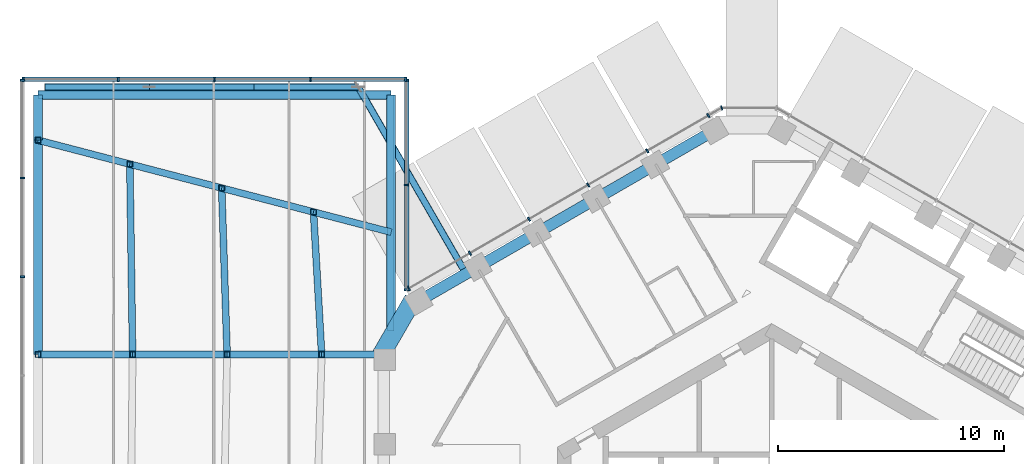
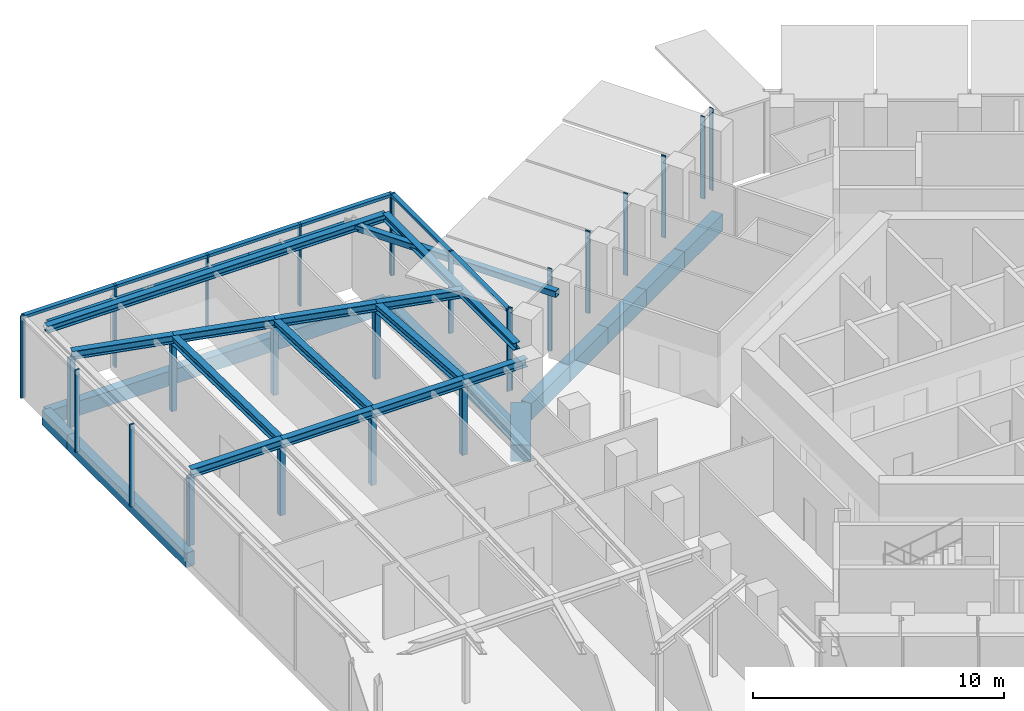
# One storey, part 6 of 24: 32 members, 23 beams, 5 elements without a shape of their own.
"""IFC4 building model written with IfcOpenShell, lengths in metres."""

from ifc_helpers import new_model, si_unit, direction, frame, origin, origin_2d, place, context, subcontext, project, spatial, rectangle, hollow_rectangle, i_section, extrude, material, layer, layer_set, material_profile, profile_set, type_object, element, aggregate, save


model = new_model("IFC4")

# Units and contexts
model_context = context("Model", 3, precision=1e-05, world=origin(), true_north=direction((0.0, 1.0)))
body_context = subcontext(model_context, "Body", "Model", "MODEL_VIEW")
ifc_project = project(units=[si_unit("LENGTHUNIT", "METRE"), si_unit("AREAUNIT", "SQUARE_METRE"), si_unit("VOLUMEUNIT", "CUBIC_METRE"), si_unit("PLANEANGLEUNIT", "RADIAN"), si_unit("MASSUNIT", "GRAM", prefix="KILO")], contexts=[model_context])

# Site, building, storey
site_placement = place(None, origin())
site = spatial("IfcSite", under=ifc_project, at=site_placement, CompositionType="ELEMENT")
building_placement = place(site_placement, origin())
building = spatial("IfcBuilding", under=site, at=building_placement, Name="Ayvan Gate Tower", CompositionType="ELEMENT")
storey_placement = place(building_placement, frame((0.0, 0.0, 210.10009765625)))
storey = spatial("IfcBuildingStorey", under=building, at=storey_placement, Name="L56", CompositionType="ELEMENT", Elevation=210.10009765625)

# Beams
ifc_material_1 = material(Name="Concrete C40/50", Category="concrete")
ifc_material_profile_1 = material_profile(ifc_material_1, rectangle(XDim=0.800048828125, YDim=0.800048828125, at=origin_2d()), Name="RC 800x800")
ifc_profile_set_1 = profile_set([ifc_material_profile_1], Name="Concrete C40/50")
beam_type_1 = type_object("IfcBeamType", Name="Corner spandrel beam RC 800x800 C40/50", PredefinedType="BEAM", material=ifc_profile_set_1)
beam_1_placement = place(storey_placement, frame((-15.88916015625, 12.04638671875, -0.800048828125), z_axis=(-0.499990139034, -0.866031096941, 0.0), x_axis=(0.866031096941, -0.499990139034, 0.0)))
element("IfcBeam", 1, at=beam_1_placement, inside=storey, type_object=beam_type_1, Name="SB-L56-18", PredefinedType="BEAM", context=body_context, shape_type="SweptSolid", body=[
    extrude(rectangle(XDim=0.800048828125, YDim=0.800048828125, at=origin_2d()), origin(), (0.0, 0.0, 1.0), 3.0),
])
ifc_material_profile_2 = material_profile(ifc_material_1, rectangle(XDim=0.39990234375, YDim=0.699951171875, at=origin_2d()), Name="RC 400x700")
ifc_profile_set_2 = profile_set([ifc_material_profile_2], Name="Concrete C40/50")
beam_type_2 = type_object("IfcBeamType", Name="Sky bar edge beam RC 400x700 C40/50", PredefinedType="BEAM", material=ifc_profile_set_2)
beam_2_placement = place(storey_placement, frame((-32.524169921875, 9.599853515625, -0.75), z_axis=(0.0, 1.0, 0.0), x_axis=(-1.0, 0.0, 0.0)))
element("IfcBeam", 2, at=beam_2_placement, inside=storey, type_object=beam_type_2, Name="EB-B5-L56-6", PredefinedType="BEAM", context=body_context, shape_type="SweptSolid", body=[
    extrude(rectangle(XDim=0.39990234375, YDim=0.699951171875, at=origin_2d()), origin(), (0.0, 0.0, 1.0), 9.5),
])
beam_3_placement = place(storey_placement, frame((-32.524169921875, 19.099853515625, -0.75), z_axis=(0.0, 1.0, 0.0), x_axis=(-1.0, 0.0, 0.0)))
element("IfcBeam", 3, at=beam_3_placement, inside=storey, type_object=beam_type_2, Name="EB-B5-L56-7", PredefinedType="BEAM", context=body_context, shape_type="SweptSolid", body=[
    extrude(rectangle(XDim=0.39990234375, YDim=0.699951171875, at=origin_2d()), origin(), (0.0, 0.0, 1.0), 2.0),
])
beam_4_placement = place(storey_placement, frame((-32.524169921875, 21.099853515625, -0.75), z_axis=(0.999999999878, 1.5610365e-05, 0.0), x_axis=(-1.5610365e-05, 0.999999999878, 0.0)))
element("IfcBeam", 4, at=beam_4_placement, inside=storey, type_object=beam_type_2, Name="EB-B5-L56-8", PredefinedType="BEAM", context=body_context, shape_type="SweptSolid", body=[
    extrude(rectangle(XDim=0.39990234375, YDim=0.699951171875, at=origin_2d()), origin(), (0.0, 0.0, 1.0), 15.6396484375),
])
beam_5_placement = place(storey_placement, frame((-16.884521484375, 21.10009765625, -0.75), z_axis=(0.0, -1.0, 0.0), x_axis=(1.0, 0.0, 0.0)))
element("IfcBeam", 5, at=beam_5_placement, inside=storey, type_object=beam_type_2, Name="EB-B5-L56-9", PredefinedType="BEAM", context=body_context, shape_type="SweptSolid", body=[
    extrude(rectangle(XDim=0.39990234375, YDim=0.699951171875, at=origin_2d()), origin(), (0.0, 0.0, 1.0), 10.556884765625),
])
ifc_material_2 = material(Name="Steel S460ML", Category="steel")
ifc_material_profile_3 = material_profile(ifc_material_2, i_section(OverallWidth=0.300048828125, OverallDepth=0.39990234375, WebThickness=0.013427734375, FlangeThickness=0.02392578125, FilletRadius=0.027099609375, at=origin_2d()), Name="HE 400 B")
ifc_profile_set_3 = profile_set([ifc_material_profile_3], Name="Steel S460ML")
beam_type_3 = type_object("IfcBeamType", Name="Sky bar roof beam B5 HE 400 B", PredefinedType="BEAM", material=ifc_profile_set_3)
beam_6_placement = place(storey_placement, frame((-16.864501953125, 15.019287109375, 3.5), z_axis=(-0.967695138564, 0.252123221462, 0.0), x_axis=(-0.252123221462, -0.967695138564, 0.0)))
element("IfcBeam", 6, at=beam_6_placement, inside=storey, type_object=beam_type_3, Name="RB-B5-SBT5-1-1", PredefinedType="BEAM", context=body_context, shape_type="SweptSolid", body=[
    extrude(i_section(OverallWidth=0.300048828125, OverallDepth=0.39990234375, WebThickness=0.013427734375, FlangeThickness=0.02392578125, FilletRadius=0.027099609375, at=origin_2d()), origin(), (0.0, 0.0, 1.0), 3.560546875),
])
beam_7_placement = place(storey_placement, frame((-20.31005859375, 15.9169921875, 3.5), z_axis=(-0.967677635076, 0.252190393502, 0.0), x_axis=(-0.252190393502, -0.967677635076, 0.0)))
element("IfcBeam", 7, at=beam_7_placement, inside=storey, type_object=beam_type_3, Name="RB-B5-SBT5-1-2", PredefinedType="BEAM", context=body_context, shape_type="SweptSolid", body=[
    extrude(i_section(OverallWidth=0.300048828125, OverallDepth=0.39990234375, WebThickness=0.013427734375, FlangeThickness=0.02392578125, FilletRadius=0.027099609375, at=origin_2d()), origin(), (0.0, 0.0, 1.0), 4.207275390625),
])
beam_8_placement = place(storey_placement, frame((-24.38134765625, 16.97802734375, 3.5), z_axis=(-0.967681325355, 0.252176233135, 0.0), x_axis=(-0.252176233135, -0.967681325355, 0.0)))
element("IfcBeam", 8, at=beam_8_placement, inside=storey, type_object=beam_type_3, Name="RB-B5-SBT5-1-3", PredefinedType="BEAM", context=body_context, shape_type="SweptSolid", body=[
    extrude(i_section(OverallWidth=0.300048828125, OverallDepth=0.39990234375, WebThickness=0.013427734375, FlangeThickness=0.02392578125, FilletRadius=0.027099609375, at=origin_2d()), origin(), (0.0, 0.0, 1.0), 4.20751953125),
])
beam_9_placement = place(storey_placement, frame((-28.452880859375, 18.0390625, 3.5), z_axis=(-0.967677635076, 0.252190393502, 0.0), x_axis=(-0.252190393502, -0.967677635076, 0.0)))
element("IfcBeam", 9, at=beam_9_placement, inside=storey, type_object=beam_type_3, Name="RB-B5-SBT5-1-4", PredefinedType="BEAM", context=body_context, shape_type="SweptSolid", body=[
    extrude(i_section(OverallWidth=0.300048828125, OverallDepth=0.39990234375, WebThickness=0.013427734375, FlangeThickness=0.02392578125, FilletRadius=0.027099609375, at=origin_2d()), origin(), (0.0, 0.0, 1.0), 4.207275390625),
])
beam_10_placement = place(storey_placement, frame((-17.0576171875, 9.60009765625, 3.5), z_axis=(-1.0, 0.0, 0.0), x_axis=(0.0, -1.0, 0.0)))
element("IfcBeam", 10, at=beam_10_placement, inside=storey, type_object=beam_type_3, Name="RB-B5-SBT5-2-1", PredefinedType="BEAM", context=body_context, shape_type="SweptSolid", body=[
    extrude(i_section(OverallWidth=0.300048828125, OverallDepth=0.39990234375, WebThickness=0.013427734375, FlangeThickness=0.02392578125, FilletRadius=0.027099609375, at=origin_2d()), origin(), (0.0, 0.0, 1.0), 2.890625),
])
beam_11_placement = place(storey_placement, frame((-19.9482421875, 9.60009765625, 3.5), z_axis=(-1.0, 0.0, 0.0), x_axis=(0.0, -1.0, 0.0)))
element("IfcBeam", 11, at=beam_11_placement, inside=storey, type_object=beam_type_3, Name="RB-B5-SBT5-2-2", PredefinedType="BEAM", context=body_context, shape_type="SweptSolid", body=[
    extrude(i_section(OverallWidth=0.300048828125, OverallDepth=0.39990234375, WebThickness=0.013427734375, FlangeThickness=0.02392578125, FilletRadius=0.027099609375, at=origin_2d()), origin(), (0.0, 0.0, 1.0), 4.192138671875),
])
for number, where, z_axis, x_axis, name in (
    (12, (-24.140380859375, 9.60009765625, 3.5), (-1.0, 0.0, 0.0), (0.0, -1.0, 0.0), "RB-B5-SBT5-2-3"),
    (13, (-28.332275390625, 9.60009765625, 3.5), (-1.0, 0.0, 0.0), (0.0, -1.0, 0.0), "RB-B5-SBT5-2-4"),
):
    element("IfcBeam", number, at=place(storey_placement, frame(where, z_axis=z_axis, x_axis=x_axis)), inside=storey, type_object=beam_type_3, Name=name, PredefinedType="BEAM", context=body_context, shape_type="SweptSolid", body=[
        extrude(i_section(OverallWidth=0.300048828125, OverallDepth=0.39990234375, WebThickness=0.013427734375, FlangeThickness=0.02392578125, FilletRadius=0.027099609375, at=origin_2d()), origin(), (0.0, 0.0, 1.0), 4.19189453125),
    ])
beam_12_placement = place(storey_placement, frame((-28.452880859375, 18.0390625, 3.5), z_axis=(0.014290041044, -0.99989789215, 0.0), x_axis=(0.99989789215, 0.014290041044, 0.0)))
element("IfcBeam", 14, at=beam_12_placement, inside=storey, type_object=beam_type_3, Name="RX-B5-12-2", PredefinedType="BEAM", context=body_context, shape_type="SweptSolid", body=[
    extrude(i_section(OverallWidth=0.300048828125, OverallDepth=0.39990234375, WebThickness=0.013427734375, FlangeThickness=0.02392578125, FilletRadius=0.027099609375, at=origin_2d()), origin(), (0.0, 0.0, 1.0), 8.43994140625),
])
beam_13_placement = place(storey_placement, frame((-24.38134765625, 16.97802734375, 3.5), z_axis=(0.03264308407, -0.999467072525, 0.0), x_axis=(0.999467072525, 0.03264308407, 0.0)))
element("IfcBeam", 15, at=beam_13_placement, inside=storey, type_object=beam_type_3, Name="RX-B5-12-3", PredefinedType="BEAM", context=body_context, shape_type="SweptSolid", body=[
    extrude(i_section(OverallWidth=0.300048828125, OverallDepth=0.39990234375, WebThickness=0.013427734375, FlangeThickness=0.02392578125, FilletRadius=0.027099609375, at=origin_2d()), origin(), (0.0, 0.0, 1.0), 7.3818359375),
])
beam_14_placement = place(storey_placement, frame((-20.31005859375, 15.9169921875, 3.5), z_axis=(0.057183850632, -0.998363664817, 0.0), x_axis=(0.998363664817, 0.057183850632, 0.0)))
element("IfcBeam", 16, at=beam_14_placement, inside=storey, type_object=beam_type_3, Name="RX-B5-12-4", PredefinedType="BEAM", context=body_context, shape_type="SweptSolid", body=[
    extrude(i_section(OverallWidth=0.300048828125, OverallDepth=0.39990234375, WebThickness=0.013427734375, FlangeThickness=0.02392578125, FilletRadius=0.027099609375, at=origin_2d()), origin(), (0.0, 0.0, 1.0), 6.3271484375),
])
ifc_material_profile_4 = material_profile(ifc_material_2, i_section(OverallWidth=0.300048828125, OverallDepth=0.340087890625, WebThickness=0.011962890625, FlangeThickness=0.021484375, FilletRadius=0.027099609375, at=origin_2d()), Name="HE 340 B")
ifc_profile_set_4 = profile_set([ifc_material_profile_4], Name="Steel S460ML")
beam_type_4 = type_object("IfcBeamType", Name="Sky bar roof edge beam B5 HE 340 B", PredefinedType="BEAM", material=ifc_profile_set_4)
beam_15_placement = place(storey_placement, frame((-32.524169921875, 21.10009765625, 3.52978515625), z_axis=(1.0, 0.0, 0.0), x_axis=(0.0, 1.0, 0.0)))
element("IfcBeam", 17, at=beam_15_placement, inside=storey, type_object=beam_type_4, Name="RE-B5-1-4", PredefinedType="BEAM", context=body_context, shape_type="SweptSolid", body=[
    extrude(i_section(OverallWidth=0.300048828125, OverallDepth=0.340087890625, WebThickness=0.011962890625, FlangeThickness=0.021484375, FilletRadius=0.027099609375, at=origin_2d()), origin(), (0.0, 0.0, 1.0), 15.6396484375),
])
beam_16_placement = place(storey_placement, frame((-16.884521484375, 21.10009765625, 3.52978515625), z_axis=(0.0, -1.0, 0.0), x_axis=(1.0, 0.0, 0.0)))
element("IfcBeam", 18, at=beam_16_placement, inside=storey, type_object=beam_type_4, Name="RE-B5-1-5", PredefinedType="BEAM", context=body_context, shape_type="SweptSolid", body=[
    extrude(i_section(OverallWidth=0.300048828125, OverallDepth=0.340087890625, WebThickness=0.011962890625, FlangeThickness=0.021484375, FilletRadius=0.027099609375, at=origin_2d()), origin(), (0.0, 0.0, 1.0), 10.468017578125),
])

# Members
ifc_material_3 = material(Name="Steel S460NH", Category="steel")
ifc_material_profile_5 = material_profile(ifc_material_3, hollow_rectangle(XDim=0.25, YDim=0.25, WallThickness=0.012451171875, InnerFilletRadius=0.012451171875, OuterFilletRadius=0.018798828125, at=origin_2d()), Name="RHS 250x250x12.5")
ifc_profile_set_5 = profile_set([ifc_material_profile_5], Name="Steel S460NH")
member_type_1 = type_object("IfcMemberType", Name="Sky bar roof post B5 RHS 250x250x12.5", PredefinedType="POST", material=ifc_profile_set_5)
for number, where, z_axis, x_axis, name in (
    (19, (-20.31005859375, 15.9169921875, 0.0), (0.0, 0.0, 1.0), (1.0, 0.0, 0.0), "RP-B5-SBT5-1-1"),
    (20, (-24.38134765625, 16.97802734375, 0.0), (0.0, 0.0, 1.0), (1.0, 0.0, 0.0), "RP-B5-SBT5-1-2"),
    (21, (-28.452880859375, 18.0390625, 0.0), (0.0, 0.0, 1.0), (1.0, 0.0, 0.0), "RP-B5-SBT5-1-3"),
    (22, (-32.524169921875, 19.10009765625, 0.0), (0.0, 0.0, 1.0), (1.0, 0.0, 0.0), "RP-B5-SBT5-1-4"),
    (23, (-19.9482421875, 9.60009765625, 0.0), (0.0, 0.0, 1.0), (1.0, 0.0, 0.0), "RP-B5-SBT5-2-1"),
    (24, (-24.140380859375, 9.60009765625, 0.0), (0.0, 0.0, 1.0), (1.0, 0.0, 0.0), "RP-B5-SBT5-2-2"),
    (25, (-28.332275390625, 9.60009765625, 0.0), (0.0, 0.0, 1.0), (1.0, 0.0, 0.0), "RP-B5-SBT5-2-3"),
    (26, (-32.524169921875, 9.60009765625, 0.0), (0.0, 0.0, 1.0), (1.0, 0.0, 0.0), "RP-B5-SBT5-2-4"),
):
    element("IfcMember", number, at=place(storey_placement, frame(where, z_axis=z_axis, x_axis=x_axis)), inside=storey, type_object=member_type_1, Name=name, PredefinedType="POST", context=body_context, shape_type="SweptSolid", body=[
        extrude(hollow_rectangle(XDim=0.25, YDim=0.25, WallThickness=0.012451171875, InnerFilletRadius=0.012451171875, OuterFilletRadius=0.018798828125, at=origin_2d()), origin(), (0.0, 0.0, 1.0), 3.2998046875),
    ])
ifc_material_profile_6 = material_profile(ifc_material_3, hollow_rectangle(XDim=0.300048828125, YDim=0.300048828125, WallThickness=0.01611328125, InnerFilletRadius=0.01611328125, OuterFilletRadius=0.02392578125, at=origin_2d()), Name="RHS 300x300x16")
ifc_profile_set_6 = profile_set([ifc_material_profile_6], Name="Steel S460NH")
member_type_2 = type_object("IfcMemberType", Name="Sky bar truss brace B5 RHS 300x300x16", PredefinedType="BRACE", material=ifc_profile_set_6)
member_1_placement = place(storey_placement, frame((-13.546142578125, 13.17919921875, 3.39990234375), z_axis=(-0.499999627798, 0.866025618675, 0.0), x_axis=(-0.866025618675, -0.499999627798, 0.0)))
element("IfcMember", 27, at=member_1_placement, inside=storey, type_object=member_type_2, Name="SBX5-B-TC-1", PredefinedType="CHORD", context=body_context, shape_type="SweptSolid", body=[
    extrude(hollow_rectangle(XDim=0.300048828125, YDim=0.300048828125, WallThickness=0.01611328125, InnerFilletRadius=0.01611328125, OuterFilletRadius=0.02392578125, at=origin_2d()), origin(), (0.0, 0.0, 1.0), 9.55615234375),
])
for number, where, z_axis, x_axis, name in (
    (28, (-18.32421875, 21.455078125, 3.39990234375), (-1.0, 0.0, 0.0), (0.0, -1.0, 0.0), "SBX5-B-TC-2"),
    (29, (-22.95751953125, 21.455078125, 3.39990234375), (-1.0, 0.0, 0.0), (0.0, -1.0, 0.0), "SBX5-B-TC-3"),
):
    element("IfcMember", number, at=place(storey_placement, frame(where, z_axis=z_axis, x_axis=x_axis)), inside=storey, type_object=member_type_2, Name=name, PredefinedType="CHORD", context=body_context, shape_type="SweptSolid", body=[
        extrude(hollow_rectangle(XDim=0.300048828125, YDim=0.300048828125, WallThickness=0.01611328125, InnerFilletRadius=0.01611328125, OuterFilletRadius=0.02392578125, at=origin_2d()), origin(), (0.0, 0.0, 1.0), 4.63330078125),
    ])
member_2_placement = place(storey_placement, frame((-27.5908203125, 21.455078125, 3.39990234375), z_axis=(-1.0, 0.0, 0.0), x_axis=(0.0, -1.0, 0.0)))
element("IfcMember", 30, at=member_2_placement, inside=storey, type_object=member_type_2, Name="SBX5-B-TC-4", PredefinedType="CHORD", context=body_context, shape_type="SweptSolid", body=[
    extrude(hollow_rectangle(XDim=0.300048828125, YDim=0.300048828125, WallThickness=0.01611328125, InnerFilletRadius=0.01611328125, OuterFilletRadius=0.02392578125, at=origin_2d()), origin(), (0.0, 0.0, 1.0), 4.633544921875),
])

# Beams
ifc_material_profile_7 = material_profile(ifc_material_1, rectangle(XDim=0.5, YDim=0.800048828125, at=origin_2d()), Name="RC 500x800")
ifc_profile_set_7 = profile_set([ifc_material_profile_7], Name="Concrete C40/50")
beam_type_5 = type_object("IfcBeamType", Name="Spandrel beam RC 500x800 C40/50", PredefinedType="BEAM", material=ifc_profile_set_7)
for number, where, z_axis, x_axis, name in (
    (31, (-2.488037109375, 19.5634765625, -0.800048828125), (-0.866028335764, -0.499994921628, 0.0), (0.499994921628, -0.866028335764, 0.0), "SB-L56-13"),
    (32, (-5.130126953125, 18.0380859375, -0.800048828125), (-0.866028335764, -0.499994921628, 0.0), (0.499994921628, -0.866028335764, 0.0), "SB-L56-14"),
    (33, (-7.772216796875, 16.5126953125, -0.800048828125), (-0.866028335764, -0.499994921628, 0.0), (0.499994921628, -0.866028335764, 0.0), "SB-L56-15"),
    (34, (-10.414306640625, 14.9873046875, -0.800048828125), (-0.866028335764, -0.499994921628, 0.0), (0.499994921628, -0.866028335764, 0.0), "SB-L56-16"),
    (35, (-13.056396484375, 13.4619140625, -0.800048828125), (-0.866028335764, -0.499994921628, 0.0), (0.499994921628, -0.866028335764, 0.0), "SB-L56-17"),
):
    element("IfcBeam", number, at=place(storey_placement, frame(where, z_axis=z_axis, x_axis=x_axis)), inside=storey, type_object=beam_type_5, Name=name, PredefinedType="BEAM", context=body_context, shape_type="SweptSolid", body=[
        extrude(rectangle(XDim=0.5, YDim=0.800048828125, at=origin_2d()), origin(), (0.0, 0.0, 1.0), 3.05078125),
    ])

# Curtain wall, members
ifc_material_4 = material(Name="Bronze anodised aluminium", Category="aluminium")
ifc_layer_1 = layer(ifc_material_4, 0.199951171875)
ifc_layer_set_1 = layer_set([ifc_layer_1], Name="Bronze anodised aluminium")
curtain_wall_type_1 = type_object("IfcCurtainWallType", Name="Stick curtain wall CW-2", PredefinedType="NOTDEFINED", material=ifc_layer_set_1)
curtain_wall_1_placement = place(storey_placement, origin())
curtain_wall_1 = element("IfcCurtainWall", 36, at=curtain_wall_1_placement, inside=storey, type_object=curtain_wall_type_1, Name="Stick curtain wall CW-2 L56", PredefinedType="NOTDEFINED")
ifc_material_profile_8 = material_profile(ifc_material_4, rectangle(XDim=0.199951171875, YDim=0.070068359375, at=origin_2d()), Name="Stick curtain wall CW-2 mullion 200 x 70")
ifc_profile_set_8 = profile_set([ifc_material_profile_8], Name="Bronze anodised aluminium")
member_type_3 = type_object("IfcMemberType", Name="Stick curtain wall CW-2 mullion 200 x 70", PredefinedType="MULLION", material=ifc_profile_set_8)
member_3_placement = place(storey_placement, frame((-2.802490234375, 20.1904296875, 0.0), z_axis=(0.0, 0.0, 1.0), x_axis=(-0.5, 0.866025403784, 0.0)))
member_3 = element("IfcMember", 37, at=member_3_placement, type_object=member_type_3, Name="CW-2 mullion 1", PredefinedType="MULLION", context=body_context, shape_type="SweptSolid", body=[
    extrude(rectangle(XDim=0.199951171875, YDim=0.070068359375, at=origin_2d()), origin(), (0.0, 0.0, 1.0), 4.0),
])
member_4_placement = place(storey_placement, frame((-5.509521484375, 18.627197265625, 0.0), z_axis=(0.0, 0.0, 1.0), x_axis=(-0.5, 0.866025403784, 0.0)))
member_4 = element("IfcMember", 38, at=member_4_placement, type_object=member_type_3, Name="CW-2 mullion 2", PredefinedType="MULLION", context=body_context, shape_type="SweptSolid", body=[
    extrude(rectangle(XDim=0.199951171875, YDim=0.070068359375, at=origin_2d()), origin(), (0.0, 0.0, 1.0), 4.0),
])
member_5_placement = place(storey_placement, frame((-8.1318359375, 17.11328125, 0.0), z_axis=(0.0, 0.0, 1.0), x_axis=(-0.5, 0.866025403784, 0.0)))
member_5 = element("IfcMember", 39, at=member_5_placement, type_object=member_type_3, Name="CW-2 mullion 3", PredefinedType="MULLION", context=body_context, shape_type="SweptSolid", body=[
    extrude(rectangle(XDim=0.199951171875, YDim=0.070068359375, at=origin_2d()), origin(), (0.0, 0.0, 1.0), 4.0),
])
member_6_placement = place(storey_placement, frame((-10.754150390625, 15.599365234375, 0.0), z_axis=(0.0, 0.0, 1.0), x_axis=(-0.5, 0.866025403784, 0.0)))
member_6 = element("IfcMember", 40, at=member_6_placement, type_object=member_type_3, Name="CW-2 mullion 4", PredefinedType="MULLION", context=body_context, shape_type="SweptSolid", body=[
    extrude(rectangle(XDim=0.199951171875, YDim=0.070068359375, at=origin_2d()), origin(), (0.0, 0.0, 1.0), 4.0),
])
member_7_placement = place(storey_placement, frame((-13.37744140625, 14.084716796875, 0.0), z_axis=(0.0, 0.0, 1.0), x_axis=(-0.5, 0.866025403784, 0.0)))
member_7 = element("IfcMember", 41, at=member_7_placement, type_object=member_type_3, Name="CW-2 mullion 5", PredefinedType="MULLION", context=body_context, shape_type="SweptSolid", body=[
    extrude(rectangle(XDim=0.199951171875, YDim=0.070068359375, at=origin_2d()), origin(), (0.0, 0.0, 1.0), 4.0),
])
member_8_placement = place(storey_placement, frame((-16.084228515625, 12.522216796875, 0.0), z_axis=(0.0, 0.0, 1.0), x_axis=(-0.5, 0.866025403784, 0.0)))
member_8 = element("IfcMember", 42, at=member_8_placement, type_object=member_type_3, Name="CW-2 mullion 6", PredefinedType="MULLION", context=body_context, shape_type="SweptSolid", body=[
    extrude(rectangle(XDim=0.199951171875, YDim=0.070068359375, at=origin_2d()), origin(), (0.0, 0.0, 1.0), 4.0),
])
aggregate(curtain_wall_1, [member_3, member_4, member_5, member_6, member_7, member_8])

ifc_layer_2 = layer(ifc_material_4, 0.199951171875)
ifc_layer_set_2 = layer_set([ifc_layer_2], Name="Bronze anodised aluminium")
curtain_wall_type_2 = type_object("IfcCurtainWallType", Name="Stick curtain wall CW-4", PredefinedType="NOTDEFINED", material=ifc_layer_set_2)
curtain_wall_2_placement = place(storey_placement, origin())
curtain_wall_2 = element("IfcCurtainWall", 43, at=curtain_wall_2_placement, inside=storey, type_object=curtain_wall_type_2, Name="Stick curtain wall CW-4 L56", PredefinedType="NOTDEFINED")
ifc_material_profile_9 = material_profile(ifc_material_4, rectangle(XDim=0.199951171875, YDim=0.080078125, at=origin_2d()), Name="Stick curtain wall CW-4 mullion 200 x 80")
ifc_profile_set_9 = profile_set([ifc_material_profile_9], Name="Bronze anodised aluminium")
member_type_4 = type_object("IfcMemberType", Name="Stick curtain wall CW-4 mullion 200 x 80", PredefinedType="MULLION", material=ifc_profile_set_9)
member_9_placement = place(storey_placement, frame((-16.1845703125, 12.474365234375, 0.0), z_axis=(0.0, 0.0, 1.0), x_axis=(1.0, 0.0, 0.0)))
member_9 = element("IfcMember", 44, at=member_9_placement, type_object=member_type_4, Name="CW-4 mullion 1", PredefinedType="MULLION", context=body_context, shape_type="SweptSolid", body=[
    extrude(rectangle(XDim=0.199951171875, YDim=0.080078125, at=origin_2d()), origin(), (0.0, 0.0, 1.0), 4.0),
])
member_10_placement = place(storey_placement, frame((-16.1845703125, 17.1171875, 0.0), z_axis=(0.0, 0.0, 1.0), x_axis=(1.0, 0.0, 0.0)))
member_10 = element("IfcMember", 45, at=member_10_placement, type_object=member_type_4, Name="CW-4 mullion 2", PredefinedType="MULLION", context=body_context, shape_type="SweptSolid", body=[
    extrude(rectangle(XDim=0.199951171875, YDim=0.080078125, at=origin_2d()), origin(), (0.0, 0.0, 1.0), 4.0),
])
member_11_placement = place(storey_placement, frame((-16.1845703125, 21.760009765625, 0.0), z_axis=(0.0, 0.0, 1.0), x_axis=(1.0, 0.0, 0.0)))
member_11 = element("IfcMember", 46, at=member_11_placement, type_object=member_type_4, Name="CW-4 mullion 3", PredefinedType="MULLION", context=body_context, shape_type="SweptSolid", body=[
    extrude(rectangle(XDim=0.199951171875, YDim=0.080078125, at=origin_2d()), origin(), (0.0, 0.0, 1.0), 4.0),
])

curtain_wall_3_placement = place(storey_placement, origin())
curtain_wall_3 = element("IfcCurtainWall", 47, at=curtain_wall_3_placement, inside=storey, type_object=curtain_wall_type_2, Name="Stick curtain wall CW-4 L56", PredefinedType="NOTDEFINED")
member_12_placement = place(storey_placement, frame((-16.224609375, 21.800048828125, 0.0), z_axis=(0.0, 0.0, 1.0), x_axis=(0.0, 1.0, 0.0)))
member_12 = element("IfcMember", 48, at=member_12_placement, type_object=member_type_4, Name="CW-4 mullion 1", PredefinedType="MULLION", context=body_context, shape_type="SweptSolid", body=[
    extrude(rectangle(XDim=0.199951171875, YDim=0.080078125, at=origin_2d()), origin(), (0.0, 0.0, 1.0), 4.0),
])
member_13_placement = place(storey_placement, frame((-20.444580078125, 21.800048828125, 0.0), z_axis=(0.0, 0.0, 1.0), x_axis=(0.0, 1.0, 0.0)))
member_13 = element("IfcMember", 49, at=member_13_placement, type_object=member_type_4, Name="CW-4 mullion 2", PredefinedType="MULLION", context=body_context, shape_type="SweptSolid", body=[
    extrude(rectangle(XDim=0.199951171875, YDim=0.080078125, at=origin_2d()), origin(), (0.0, 0.0, 1.0), 4.0),
])
member_14_placement = place(storey_placement, frame((-24.704345703125, 21.800048828125, 0.0), z_axis=(0.0, 0.0, 1.0), x_axis=(0.0, 1.0, 0.0)))
member_14 = element("IfcMember", 50, at=member_14_placement, type_object=member_type_4, Name="CW-4 mullion 3", PredefinedType="MULLION", context=body_context, shape_type="SweptSolid", body=[
    extrude(rectangle(XDim=0.199951171875, YDim=0.080078125, at=origin_2d()), origin(), (0.0, 0.0, 1.0), 4.0),
])
member_15_placement = place(storey_placement, frame((-28.96435546875, 21.800048828125, 0.0), z_axis=(0.0, 0.0, 1.0), x_axis=(0.0, 1.0, 0.0)))
member_15 = element("IfcMember", 51, at=member_15_placement, type_object=member_type_4, Name="CW-4 mullion 4", PredefinedType="MULLION", context=body_context, shape_type="SweptSolid", body=[
    extrude(rectangle(XDim=0.199951171875, YDim=0.080078125, at=origin_2d()), origin(), (0.0, 0.0, 1.0), 4.0),
])
member_16_placement = place(storey_placement, frame((-33.184326171875, 21.800048828125, 0.0), z_axis=(0.0, 0.0, 1.0), x_axis=(0.0, 1.0, 0.0)))
member_16 = element("IfcMember", 52, at=member_16_placement, type_object=member_type_4, Name="CW-4 mullion 5", PredefinedType="MULLION", context=body_context, shape_type="SweptSolid", body=[
    extrude(rectangle(XDim=0.199951171875, YDim=0.080078125, at=origin_2d()), origin(), (0.0, 0.0, 1.0), 4.0),
])

curtain_wall_4_placement = place(storey_placement, origin())
curtain_wall_4 = element("IfcCurtainWall", 53, at=curtain_wall_4_placement, inside=storey, type_object=curtain_wall_type_2, Name="Stick curtain wall CW-4 L56", PredefinedType="NOTDEFINED")
member_17_placement = place(storey_placement, frame((-33.224365234375, 21.760009765625, 0.0), z_axis=(0.0, 0.0, 1.0), x_axis=(-1.0, 0.0, 0.0)))
member_17 = element("IfcMember", 54, at=member_17_placement, type_object=member_type_4, Name="CW-4 mullion 1", PredefinedType="MULLION", context=body_context, shape_type="SweptSolid", body=[
    extrude(rectangle(XDim=0.199951171875, YDim=0.080078125, at=origin_2d()), origin(), (0.0, 0.0, 1.0), 4.0),
])
member_18_placement = place(storey_placement, frame((-33.224365234375, 17.422119140625, 0.0), z_axis=(0.0, 0.0, 1.0), x_axis=(-1.0, 0.0, 0.0)))
member_18 = element("IfcMember", 55, at=member_18_placement, type_object=member_type_4, Name="CW-4 mullion 2", PredefinedType="MULLION", context=body_context, shape_type="SweptSolid", body=[
    extrude(rectangle(XDim=0.199951171875, YDim=0.080078125, at=origin_2d()), origin(), (0.0, 0.0, 1.0), 4.0),
])
member_19_placement = place(storey_placement, frame((-33.224365234375, 13.04443359375, 0.0), z_axis=(0.0, 0.0, 1.0), x_axis=(-1.0, 0.0, 0.0)))
member_19 = element("IfcMember", 56, at=member_19_placement, type_object=member_type_4, Name="CW-4 mullion 3", PredefinedType="MULLION", context=body_context, shape_type="SweptSolid", body=[
    extrude(rectangle(XDim=0.199951171875, YDim=0.080078125, at=origin_2d()), origin(), (0.0, 0.0, 1.0), 4.0),
])
aggregate(curtain_wall_4, [member_17, member_18, member_19])

# Member
ifc_material_profile_10 = material_profile(ifc_material_4, rectangle(XDim=0.199951171875, YDim=0.139892578125, at=origin_2d()), Name="Stick curtain wall CW-4 transom 200 x 140")
ifc_profile_set_10 = profile_set([ifc_material_profile_10], Name="Bronze anodised aluminium")
member_type_5 = type_object("IfcMemberType", Name="Stick curtain wall CW-4 transom 200 x 140", PredefinedType="USERDEFINED", material=ifc_profile_set_10)
member_20_placement = place(storey_placement, frame((-16.1845703125, 12.474365234375, 3.929931640625), z_axis=(0.0, 1.0, 0.0), x_axis=(-1.0, 0.0, 0.0)))
member_20 = element("IfcMember", 57, at=member_20_placement, type_object=member_type_5, Name="CW-4 transom 1", ObjectType="TRANSOM", PredefinedType="USERDEFINED", context=body_context, shape_type="SweptSolid", body=[
    extrude(rectangle(XDim=0.199951171875, YDim=0.139892578125, at=origin_2d()), origin(), (0.0, 0.0, 1.0), 9.28564453125),
])

aggregate(curtain_wall_2, [member_9, member_10, member_11, member_20])

member_21_placement = place(storey_placement, frame((-16.224609375, 21.800048828125, 3.929931640625), z_axis=(-1.0, 0.0, 0.0), x_axis=(0.0, -1.0, 0.0)))
member_21 = element("IfcMember", 58, at=member_21_placement, type_object=member_type_5, Name="CW-4 transom 1", ObjectType="TRANSOM", PredefinedType="USERDEFINED", context=body_context, shape_type="SweptSolid", body=[
    extrude(rectangle(XDim=0.199951171875, YDim=0.139892578125, at=origin_2d()), origin(), (0.0, 0.0, 1.0), 16.959716796875),
])

aggregate(curtain_wall_3, [member_12, member_13, member_14, member_15, member_16, member_21])

# Curtain wall, member
ifc_layer_3 = layer(ifc_material_4, 0.199951171875)
ifc_layer_set_3 = layer_set([ifc_layer_3], Name="Bronze anodised aluminium")
curtain_wall_type_3 = type_object("IfcCurtainWallType", Name="Stick curtain wall CW-6", PredefinedType="NOTDEFINED", material=ifc_layer_set_3)
curtain_wall_5_placement = place(storey_placement, origin())
curtain_wall_5 = element("IfcCurtainWall", 59, at=curtain_wall_5_placement, inside=storey, type_object=curtain_wall_type_3, Name="Stick curtain wall CW-6 L56", PredefinedType="NOTDEFINED")
ifc_material_profile_11 = material_profile(ifc_material_4, rectangle(XDim=0.199951171875, YDim=0.050048828125, at=origin_2d()), Name="Stick curtain wall CW-6 mullion 200 x 50")
ifc_profile_set_11 = profile_set([ifc_material_profile_11], Name="Bronze anodised aluminium")
member_type_6 = type_object("IfcMemberType", Name="Stick curtain wall CW-6 mullion 200 x 50", PredefinedType="MULLION", material=ifc_profile_set_11)
member_22_placement = place(storey_placement, frame((-2.209228515625, 20.53271484375, 0.0), z_axis=(0.0, 0.0, 1.0), x_axis=(-0.258819045103, 0.965925826289, 0.0)))
member_22 = element("IfcMember", 60, at=member_22_placement, type_object=member_type_6, Name="CW-6 mullion 3", PredefinedType="MULLION", context=body_context, shape_type="SweptSolid", body=[
    extrude(rectangle(XDim=0.199951171875, YDim=0.050048828125, at=origin_2d()), origin(), (0.0, 0.0, 1.0), 4.0),
])
aggregate(curtain_wall_5, [member_22])

save(model, "model.ifc")
